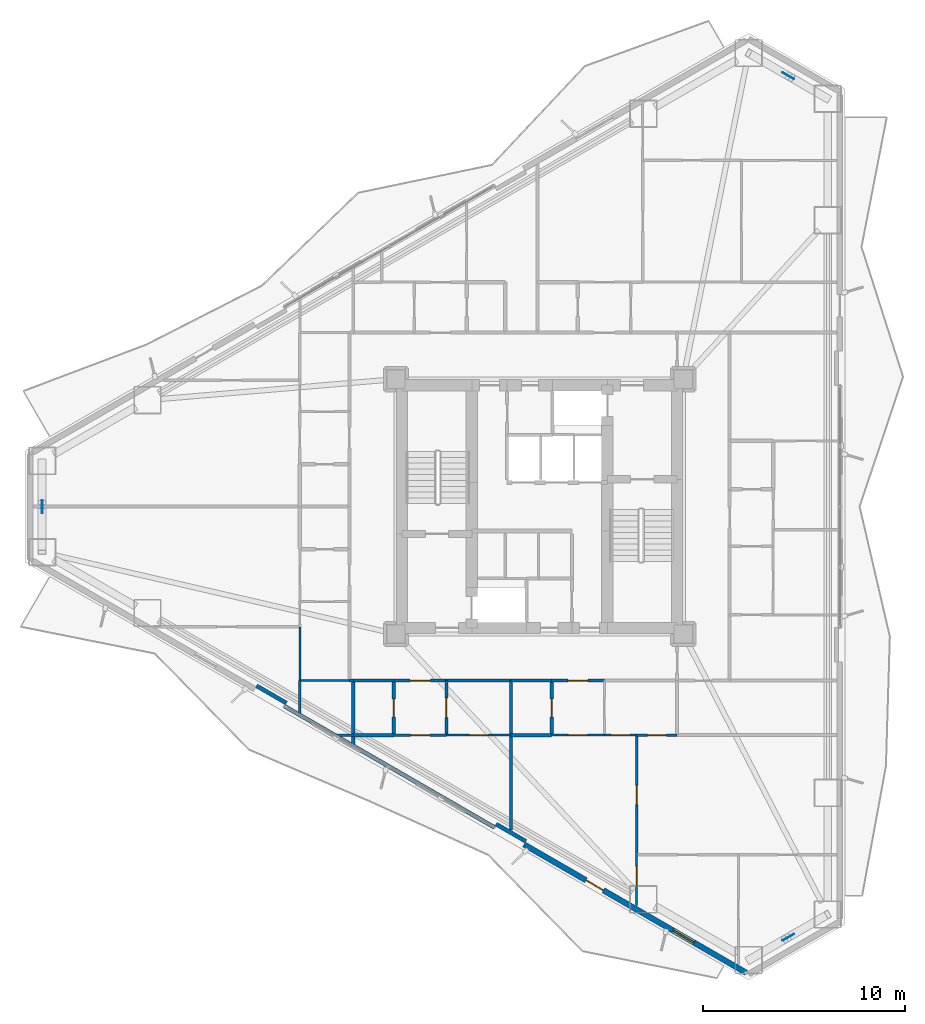
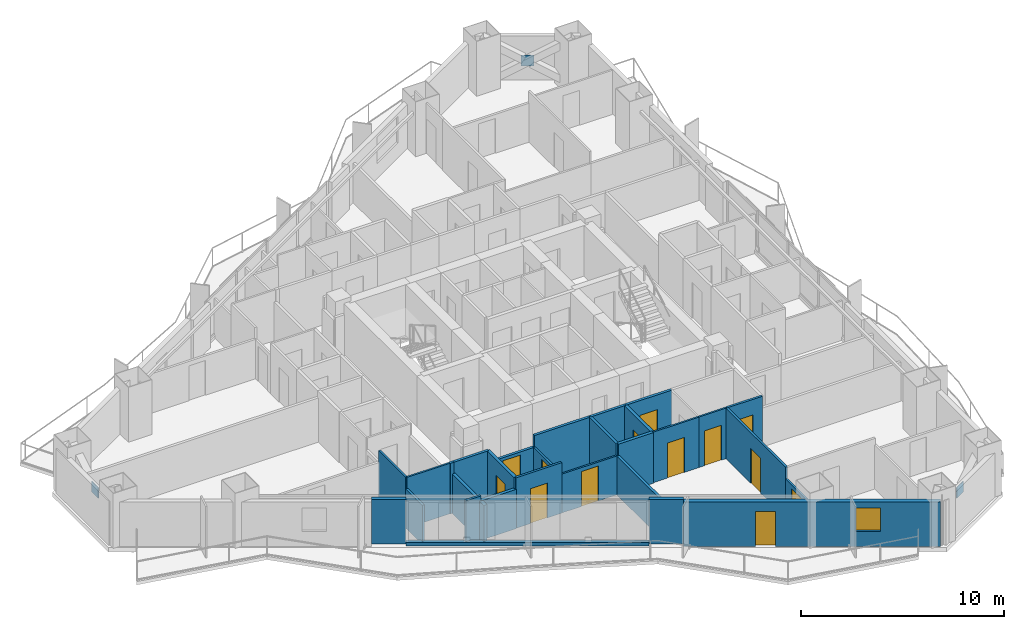
# One storey, part 11 of 18: 29 walls, 13 doors, 3 plates, 1 window, 14 openings.
"""IFC4 building model written with IfcOpenShell, lengths in metres."""

from ifc_helpers import new_model, si_unit, direction, frame, frame_2d, origin, origin_2d, place, context, subcontext, project, spatial, rectangle, extrude, material, layer, layer_set, type_object, element, fill, save


model = new_model("IFC4")

# Units and contexts
model_context = context("Model", 3, precision=1e-05, world=origin(), true_north=direction((0.0, 1.0)))
body_context = subcontext(model_context, "Body", "Model", "MODEL_VIEW")
ifc_project = project(units=[si_unit("LENGTHUNIT", "METRE"), si_unit("AREAUNIT", "SQUARE_METRE"), si_unit("VOLUMEUNIT", "CUBIC_METRE"), si_unit("PLANEANGLEUNIT", "RADIAN"), si_unit("MASSUNIT", "GRAM", prefix="KILO")], contexts=[model_context])

# Site, building, storey
site_placement = place(None, origin())
site = spatial("IfcSite", under=ifc_project, at=site_placement, CompositionType="ELEMENT")
building_placement = place(site_placement, origin())
building = spatial("IfcBuilding", under=site, at=building_placement, Name="Mersakhor Tower and Convention Hall", CompositionType="ELEMENT")
storey_placement = place(building_placement, frame((0.0, 0.0, 35.699951171875)))
storey = spatial("IfcBuildingStorey", under=building, at=storey_placement, Name="L09", CompositionType="ELEMENT", Elevation=35.699951171875)

# Plates
ifc_material_1 = material(Name="Steel S460", Category="steel")
ifc_layer_1 = layer(ifc_material_1, 0.0400390625)
ifc_layer_set_1 = layer_set([ifc_layer_1], Name="Steel S460")
plate_type = type_object("IfcPlateType", Name="PL-GUSSET-40", PredefinedType="SHEET", material=ifc_layer_set_1)
for number, where, z_axis, x_axis, name in (
    (1, (41.29345703125, 48.04296875, 1.2001953125), (0.0, 0.0, 1.0), (-0.866025403784, 0.5, 0.0), "L09 X-Brace Crossing Gusset Node Plate"),
    (2, (41.29345703125, 5.45703125, 1.2001953125), (0.0, 0.0, 1.0), (0.866025403784, 0.5, 0.0), "L09 X-Brace Crossing Gusset Node Plate"),
    (3, (4.4130859375, 26.75, 1.2001953125), (0.0, 0.0, 1.0), (0.0, -1.0, 0.0), "L09 X-Brace Crossing Gusset Node Plate"),
):
    element("IfcPlate", number, at=place(storey_placement, frame(where, z_axis=z_axis, x_axis=x_axis)), inside=storey, type_object=plate_type, Name=name, PredefinedType="SHEET", context=body_context, shape_type="SweptSolid", body=[
        extrude(rectangle(XDim=0.639892578125, YDim=0.0400390625, at=origin_2d()), origin(), (0.0, 0.0, 1.0), 0.639892578125),
    ])

# Wall, openings, door, window
ifc_material_2 = material(Name="Precast concrete C45/55", Category="concrete")
ifc_layer_2 = layer(ifc_material_2, 0.27490234375)
ifc_layer_set_2 = layer_set([ifc_layer_2], Name="Precast concrete C45/55")
wall_type_1 = type_object("IfcWallType", Name="WL-EXT-275", PredefinedType="SOLIDWALL", material=ifc_layer_set_2)
wall_1_placement = place(storey_placement, frame((39.20703125, 3.709716796875, 0.0), z_axis=(0.0, 0.0, 1.0), x_axis=(-0.86603192154, 0.499988710747, 0.0)))
wall_1 = element("IfcWall", 4, at=wall_1_placement, inside=storey, type_object=wall_type_1, Name="L09 Exterior Facade Wall F3-B1", PredefinedType="SOLIDWALL", context=body_context, shape_type="SweptSolid", body=[
    extrude(rectangle(XDim=12.673095703125, YDim=0.27490234375, at=frame_2d((6.33642578125, 0.0))), origin(), (0.0, 0.0, 1.0), 2.66015625),
])
opening_1_placement = place(wall_1_placement, frame((8.135986328125, 0.0, 0.0)))
opening_1 = element("IfcOpeningElement", 5, at=opening_1_placement, cuts=wall_1, Name="Opening BD-01", PredefinedType="OPENING", context=body_context, shape_type="SweptSolid", body=[
    extrude(rectangle(XDim=1.0, YDim=2.10009765625, at=frame_2d((0.5, 1.050048828125))), frame((0.0, 0.1474609375, 0.0), z_axis=(0.0, -1.0, 0.0), x_axis=(1.0, 0.0, 0.0)), (0.0, 0.0, 1.0), 0.294921875),
])
opening_2_placement = place(wall_1_placement, frame((2.970947265625, 0.0, 0.89990234375)))
opening_2 = element("IfcOpeningElement", 6, at=opening_2_placement, cuts=wall_1, Name="Opening W-01", PredefinedType="OPENING", context=body_context, shape_type="SweptSolid", body=[
    extrude(rectangle(XDim=1.199951171875, YDim=1.39990234375, at=frame_2d((0.60009765625, 0.699951171875))), frame((0.0, 0.1474609375, 0.0), z_axis=(0.0, -1.0, 0.0), x_axis=(1.0, 0.0, 0.0)), (0.0, 0.0, 1.0), 0.294921875),
])
ifc_material_3 = material(Name="Thermally broken dark aluminium and safety glass", Category="aluminium")
door_type_1 = type_object("IfcDoorType", Name="DR-BAL-100x210", OperationType="NOTDEFINED", PredefinedType="DOOR", material=ifc_material_3)
door_1_placement = place(opening_1_placement, origin())
door_1 = element("IfcDoor", 7, at=door_1_placement, inside=storey, type_object=door_type_1, Name="L09 Balcony Terrace Door F3-B1", OperationType="SINGLE_SWING_LEFT", OverallHeight=2.10009765625, OverallWidth=1.0, PredefinedType="DOOR", context=body_context, shape_type="SweptSolid", body=[
    extrude(rectangle(XDim=1.0, YDim=2.10009765625, at=frame_2d((0.5, 1.050048828125))), frame((0.0, 0.02490234375, 0.0), z_axis=(0.0, -1.0, 0.0), x_axis=(1.0, 0.0, 0.0)), (0.0, 0.0, 1.0), 0.050048828125),
])
fill(opening_1, door_1)
ifc_material_4 = material(Name="Dark solar low-E glazed aluminium window", Category="aluminium")
window_type = type_object("IfcWindowType", Name="WN-RES-120x150", PartitioningType="SINGLE_PANEL", PredefinedType="WINDOW", material=ifc_material_4)
window_placement = place(opening_2_placement, origin())
window = element("IfcWindow", 8, at=window_placement, inside=storey, type_object=window_type, Name="L09 Bedroom Facade Window F3-B1-1", OverallHeight=1.39990234375, OverallWidth=1.199951171875, PartitioningType="SINGLE_PANEL", PredefinedType="WINDOW", context=body_context, shape_type="SweptSolid", body=[
    extrude(rectangle(XDim=1.199951171875, YDim=1.39990234375, at=frame_2d((0.60009765625, 0.699951171875))), frame((0.0, 0.030029296875, 0.0), z_axis=(0.0, -1.0, 0.0), x_axis=(1.0, 0.0, 0.0)), (0.0, 0.0, 1.0), 0.06005859375),
])
fill(opening_2, window)

# Walls
ifc_material_5 = material(Name="Precast concrete C40/50", Category="concrete")
ifc_layer_3 = layer(ifc_material_5, 0.199951171875)
ifc_layer_set_3 = layer_set([ifc_layer_3], Name="Precast concrete C40/50")
wall_type_2 = type_object("IfcWallType", Name="WL-PAR-200", PredefinedType="PARAPET", material=ifc_layer_set_3)
wall_2_placement = place(storey_placement, frame((26.759521484375, 10.896240234375, 0.0), z_axis=(0.0, 0.0, 1.0), x_axis=(-0.866027351828, 0.499996625875, 0.0)))
element("IfcWall", 9, at=wall_2_placement, inside=storey, type_object=wall_type_2, Name="L09 Curtain Wall Upstand Sill F3-B2", PredefinedType="PARAPET", context=body_context, shape_type="SweptSolid", body=[
    extrude(rectangle(XDim=11.97314453125, YDim=0.199951171875, at=frame_2d((5.986572265625, 0.0))), origin(), (0.0, 0.0, 1.0), 0.199951171875),
])
for number, where, z_axis, x_axis, name in (
    (10, (28.32177734375, 10.2021484375, 0.0), (0.0, 0.0, 1.0), (-0.86605165483, 0.499954529098, 0.0), "L09 Column Pier Cladding Wall F3-C1"),
    (11, (16.48046875, 17.038818359375, 0.0), (0.0, 0.0, 1.0), (-0.86605165483, 0.499954529098, 0.0), "L09 Column Pier Cladding Wall F3-C2"),
):
    element("IfcWall", number, at=place(storey_placement, frame(where, z_axis=z_axis, x_axis=x_axis)), inside=storey, type_object=wall_type_2, Name=name, PredefinedType="PARAPET", context=body_context, shape_type="SweptSolid", body=[
        extrude(rectangle(XDim=1.699951171875, YDim=0.199951171875, at=frame_2d((0.85009765625, 0.0))), origin(), (0.0, 0.0, 1.0), 2.66015625),
    ])

# Wall, opening, door
ifc_material_6 = material(Name="Moisture-resistant acoustic drywall studwork", Category="other")
ifc_layer_4 = layer(ifc_material_6, 0.175048828125)
ifc_layer_set_4 = layer_set([ifc_layer_4], Name="Moisture-resistant acoustic drywall studwork")
wall_type_3 = type_object("IfcWallType", Name="WL-PLM-175", PredefinedType="PLUMBINGWALL", material=ifc_layer_set_4)
wall_3_placement = place(storey_placement, frame((21.800048828125, 15.449951171875, 0.0), z_axis=(0.0, 0.0, 1.0), x_axis=(0.0, 1.0, 0.0)))
wall_3 = element("IfcWall", 12, at=wall_3_placement, inside=storey, type_object=wall_type_3, Name="L09 Interior Partition Wall P-074", PredefinedType="PLUMBINGWALL", context=body_context, shape_type="SweptSolid", body=[
    extrude(rectangle(XDim=2.699951171875, YDim=0.175048828125, at=frame_2d((1.35009765625, 0.0))), origin(), (0.0, 0.0, 1.0), 3.0400390625),
])
opening_3_placement = place(wall_3_placement, frame((0.89990234375, 0.0, 0.0)))
opening_3 = element("IfcOpeningElement", 13, at=opening_3_placement, cuts=wall_3, Name="Opening WD-01", PredefinedType="OPENING", context=body_context, shape_type="SweptSolid", body=[
    extrude(rectangle(XDim=0.89990234375, YDim=2.10009765625, at=frame_2d((0.449951171875, 1.050048828125))), frame((0.0, 0.097412109375, 0.0), z_axis=(0.0, -1.0, 0.0), x_axis=(1.0, 0.0, 0.0)), (0.0, 0.0, 1.0), 0.195068359375),
])
ifc_material_7 = material(Name="Solid-core hardwood leaf in painted steel frame", Category="steel")
door_type_2 = type_object("IfcDoorType", Name="DR-INT-WET-090x210", OperationType="NOTDEFINED", PredefinedType="DOOR", material=ifc_material_7)
door_2_placement = place(opening_3_placement, origin())
door_2 = element("IfcDoor", 14, at=door_2_placement, inside=storey, type_object=door_type_2, Name="L09 L09 Flat S3 Apartment Hall to L09 Flat S3 Bathroom Door", OperationType="SINGLE_SWING_RIGHT", OverallHeight=2.10009765625, OverallWidth=0.89990234375, PredefinedType="DOOR", context=body_context, shape_type="SweptSolid", body=[
    extrude(rectangle(XDim=0.89990234375, YDim=2.10009765625, at=frame_2d((0.449951171875, 1.050048828125))), frame((0.0, 0.02490234375, 0.0), z_axis=(0.0, -1.0, 0.0), x_axis=(1.0, 0.0, 0.0)), (0.0, 0.0, 1.0), 0.050048828125),
])
fill(opening_3, door_2)

wall_4_placement = place(storey_placement, frame((29.60009765625, 15.449951171875, 0.0), z_axis=(0.0, 0.0, 1.0), x_axis=(0.0, 1.0, 0.0)))
wall_4 = element("IfcWall", 15, at=wall_4_placement, inside=storey, type_object=wall_type_3, Name="L09 Interior Partition Wall P-077", PredefinedType="PLUMBINGWALL", context=body_context, shape_type="SweptSolid", body=[
    extrude(rectangle(XDim=2.699951171875, YDim=0.175048828125, at=frame_2d((1.35009765625, 0.0))), origin(), (0.0, 0.0, 1.0), 3.0400390625),
])
opening_4_placement = place(wall_4_placement, frame((0.89990234375, 0.0, 0.0)))
opening_4 = element("IfcOpeningElement", 16, at=opening_4_placement, cuts=wall_4, Name="Opening WD-01", PredefinedType="OPENING", context=body_context, shape_type="SweptSolid", body=[
    extrude(rectangle(XDim=0.89990234375, YDim=2.10009765625, at=frame_2d((0.449951171875, 1.050048828125))), frame((0.0, 0.097412109375, 0.0), z_axis=(0.0, -1.0, 0.0), x_axis=(1.0, 0.0, 0.0)), (0.0, 0.0, 1.0), 0.195068359375),
])
door_3_placement = place(opening_4_placement, origin())
door_3 = element("IfcDoor", 17, at=door_3_placement, inside=storey, type_object=door_type_2, Name="L09 L09 Flat S4 Apartment Hall to L09 Flat S4 Bathroom Door", OperationType="SINGLE_SWING_LEFT", OverallHeight=2.10009765625, OverallWidth=0.89990234375, PredefinedType="DOOR", context=body_context, shape_type="SweptSolid", body=[
    extrude(rectangle(XDim=0.89990234375, YDim=2.10009765625, at=frame_2d((0.449951171875, 1.050048828125))), frame((0.0, 0.02490234375, 0.0), z_axis=(0.0, -1.0, 0.0), x_axis=(1.0, 0.0, 0.0)), (0.0, 0.0, 1.0), 0.050048828125),
])
fill(opening_4, door_3)

# Walls
wall_5_placement = place(storey_placement, frame((21.800048828125, 15.449951171875, 0.0), z_axis=(0.0, 0.0, 1.0), x_axis=(-1.0, 0.0, 0.0)))
element("IfcWall", 18, at=wall_5_placement, inside=storey, type_object=wall_type_3, Name="L09 Interior Partition Wall P-100", PredefinedType="PLUMBINGWALL", context=body_context, shape_type="SweptSolid", body=[
    extrude(rectangle(XDim=2.0, YDim=0.175048828125, at=frame_2d((1.0, 0.0))), origin(), (0.0, 0.0, 1.0), 2.364990234375),
])
wall_6_placement = place(storey_placement, frame((19.800048828125, 14.955810546875, 0.0), z_axis=(0.0, 0.0, 1.0), x_axis=(0.0, 1.0, 0.0)))
element("IfcWall", 19, at=wall_6_placement, inside=storey, type_object=wall_type_3, Name="L09 Interior Partition Wall P-101", PredefinedType="PLUMBINGWALL", context=body_context, shape_type="SweptSolid", body=[
    extrude(rectangle(XDim=3.194091796875, YDim=0.175048828125, at=frame_2d((1.59716796875, 0.0))), origin(), (0.0, 0.0, 1.0), 2.364990234375),
])
wall_7_placement = place(storey_placement, frame((29.60009765625, 15.449951171875, 0.0), z_axis=(0.0, 0.0, 1.0), x_axis=(-1.0, 0.0, 0.0)))
element("IfcWall", 20, at=wall_7_placement, inside=storey, type_object=wall_type_3, Name="L09 Interior Partition Wall P-104", PredefinedType="PLUMBINGWALL", context=body_context, shape_type="SweptSolid", body=[
    extrude(rectangle(XDim=2.0, YDim=0.175048828125, at=frame_2d((1.0, 0.0))), origin(), (0.0, 0.0, 1.0), 3.0400390625),
])

# Wall, opening, door
ifc_material_8 = material(Name="Lightweight gypsum partition", Category="other")
ifc_layer_5 = layer(ifc_material_8, 0.10009765625)
ifc_layer_set_5 = layer_set([ifc_layer_5], Name="Lightweight gypsum partition")
wall_type_4 = type_object("IfcWallType", Name="WL-PRT-100", PredefinedType="PARTITIONING", material=ifc_layer_set_5)
wall_8_placement = place(storey_placement, frame((32.199951171875, 15.449951171875, 0.0), z_axis=(0.0, 0.0, 1.0), x_axis=(-1.0, 0.0, 0.0)))
wall_8 = element("IfcWall", 21, at=wall_8_placement, inside=storey, type_object=wall_type_4, Name="L09 Interior Partition Wall P-076", PredefinedType="PARTITIONING", context=body_context, shape_type="SweptSolid", body=[
    extrude(rectangle(XDim=2.599853515625, YDim=0.10009765625, at=frame_2d((1.2998046875, 0.0))), origin(), (0.0, 0.0, 1.0), 3.0400390625),
])
opening_5_placement = place(wall_8_placement, frame((0.824951171875, 0.0, 0.0)))
opening_5 = element("IfcOpeningElement", 22, at=opening_5_placement, cuts=wall_8, Name="Opening RD-01", PredefinedType="OPENING", context=body_context, shape_type="SweptSolid", body=[
    extrude(rectangle(XDim=0.949951171875, YDim=2.10009765625, at=frame_2d((0.47509765625, 1.050048828125))), frame((0.0, 0.06005859375, 0.0), z_axis=(0.0, -1.0, 0.0), x_axis=(1.0, 0.0, 0.0)), (0.0, 0.0, 1.0), 0.1201171875),
])
ifc_material_9 = material(Name="Solid-core hardwood leaf in painted steel frame", Category="steel")
door_type_3 = type_object("IfcDoorType", Name="DR-INT-RM-095x210", OperationType="NOTDEFINED", PredefinedType="DOOR", material=ifc_material_9)
door_4_placement = place(opening_5_placement, origin())
door_4 = element("IfcDoor", 23, at=door_4_placement, inside=storey, type_object=door_type_3, Name="L09 L09 Flat S4 Apartment Hall to L09 Flat S4 Living and Dining Room Door", OperationType="SINGLE_SWING_LEFT", OverallHeight=2.10009765625, OverallWidth=0.949951171875, PredefinedType="DOOR", context=body_context, shape_type="SweptSolid", body=[
    extrude(rectangle(XDim=0.949951171875, YDim=2.10009765625, at=frame_2d((0.47509765625, 1.050048828125))), frame((0.0, 0.02490234375, 0.0), z_axis=(0.0, -1.0, 0.0), x_axis=(1.0, 0.0, 0.0)), (0.0, 0.0, 1.0), 0.050048828125),
])
fill(opening_5, door_4)

wall_9_placement = place(storey_placement, frame((27.60009765625, 15.449951171875, 0.0), z_axis=(0.0, 0.0, 1.0), x_axis=(-1.0, 0.0, 0.0)))
wall_9 = element("IfcWall", 24, at=wall_9_placement, inside=storey, type_object=wall_type_4, Name="L09 Interior Partition Wall P-102", PredefinedType="PARTITIONING", context=body_context, shape_type="SweptSolid", body=[
    extrude(rectangle(XDim=3.2001953125, YDim=0.10009765625, at=frame_2d((1.60009765625, 0.0))), origin(), (0.0, 0.0, 1.0), 2.337646484375),
])
opening_6_placement = place(wall_9_placement, frame((1.125, 0.0, 0.0)))
opening_6 = element("IfcOpeningElement", 25, at=opening_6_placement, cuts=wall_9, Name="Opening RD-01", PredefinedType="OPENING", context=body_context, shape_type="SweptSolid", body=[
    extrude(rectangle(XDim=0.949951171875, YDim=2.10009765625, at=frame_2d((0.47509765625, 1.050048828125))), frame((0.0, 0.06005859375, 0.0), z_axis=(0.0, -1.0, 0.0), x_axis=(1.0, 0.0, 0.0)), (0.0, 0.0, 1.0), 0.1201171875),
])
door_5_placement = place(opening_6_placement, origin())
door_5 = element("IfcDoor", 26, at=door_5_placement, inside=storey, type_object=door_type_3, Name="L09 L09 Flat S3 Kitchen to L09 Flat S3 Studio Living and Sleeping Room Door", OperationType="SINGLE_SWING_LEFT", OverallHeight=2.10009765625, OverallWidth=0.949951171875, PredefinedType="DOOR", context=body_context, shape_type="SweptSolid", body=[
    extrude(rectangle(XDim=0.949951171875, YDim=2.10009765625, at=frame_2d((0.47509765625, 1.050048828125))), frame((0.0, 0.02490234375, 0.0), z_axis=(0.0, -1.0, 0.0), x_axis=(1.0, 0.0, 0.0)), (0.0, 0.0, 1.0), 0.050048828125),
])
fill(opening_6, door_5)

wall_10_placement = place(storey_placement, frame((33.800048828125, 15.449951171875, 0.0), z_axis=(0.0, 0.0, 1.0), x_axis=(-1.0, 0.0, 0.0)))
wall_10 = element("IfcWall", 27, at=wall_10_placement, inside=storey, type_object=wall_type_4, Name="L09 Interior Partition Wall P-106", PredefinedType="PARTITIONING", context=body_context, shape_type="SweptSolid", body=[
    extrude(rectangle(XDim=1.60009765625, YDim=0.10009765625, at=frame_2d((0.800048828125, 0.0))), origin(), (0.0, 0.0, 1.0), 3.0400390625),
])
opening_7_placement = place(wall_10_placement, frame((0.324951171875, 0.0, 0.0)))
opening_7 = element("IfcOpeningElement", 28, at=opening_7_placement, cuts=wall_10, Name="Opening RD-01", PredefinedType="OPENING", context=body_context, shape_type="SweptSolid", body=[
    extrude(rectangle(XDim=0.949951171875, YDim=2.10009765625, at=frame_2d((0.47509765625, 1.050048828125))), frame((0.0, 0.06005859375, 0.0), z_axis=(0.0, -1.0, 0.0), x_axis=(1.0, 0.0, 0.0)), (0.0, 0.0, 1.0), 0.1201171875),
])
door_6_placement = place(opening_7_placement, origin())
door_6 = element("IfcDoor", 29, at=door_6_placement, inside=storey, type_object=door_type_3, Name="L09 L09 Flat S4 Kitchen to L09 Flat S4 Living and Dining Room Door", OperationType="SINGLE_SWING_RIGHT", OverallHeight=2.10009765625, OverallWidth=0.949951171875, PredefinedType="DOOR", context=body_context, shape_type="SweptSolid", body=[
    extrude(rectangle(XDim=0.949951171875, YDim=2.10009765625, at=frame_2d((0.47509765625, 1.050048828125))), frame((0.0, 0.02490234375, 0.0), z_axis=(0.0, -1.0, 0.0), x_axis=(1.0, 0.0, 0.0)), (0.0, 0.0, 1.0), 0.050048828125),
])
fill(opening_7, door_6)

# Walls
wall_11_placement = place(storey_placement, frame((17.14990234375, 18.14990234375, 0.0), z_axis=(0.0, 0.0, 1.0), x_axis=(0.0, 1.0, 0.0)))
element("IfcWall", 30, at=wall_11_placement, inside=storey, type_object=wall_type_4, Name="L09 Interior Partition Wall P-114", PredefinedType="PARTITIONING", context=body_context, shape_type="SweptSolid", body=[
    extrude(rectangle(XDim=2.650146484375, YDim=0.10009765625, at=frame_2d((1.3251953125, 0.0))), origin(), (0.0, 0.0, 1.0), 3.0400390625),
])
wall_12_placement = place(storey_placement, frame((19.60009765625, 18.14990234375, 0.0), z_axis=(0.0, 0.0, 1.0), x_axis=(-1.0, 0.0, 0.0)))
element("IfcWall", 31, at=wall_12_placement, inside=storey, type_object=wall_type_4, Name="L09 Interior Partition Wall P-116", PredefinedType="PARTITIONING", context=body_context, shape_type="SweptSolid", body=[
    extrude(rectangle(XDim=2.4501953125, YDim=0.10009765625, at=frame_2d((1.22509765625, 0.0))), origin(), (0.0, 0.0, 1.0), 3.0400390625),
])

# Wall, opening, door
wall_13_placement = place(storey_placement, frame((33.800048828125, 9.5400390625, 0.0), z_axis=(0.0, 0.0, 1.0), x_axis=(0.0, -1.0, 0.0)))
wall_13 = element("IfcWall", 32, at=wall_13_placement, inside=storey, type_object=wall_type_4, Name="L09 Interior Partition Wall P-134", PredefinedType="PARTITIONING", context=body_context, shape_type="SweptSolid", body=[
    extrude(rectangle(XDim=2.522216796875, YDim=0.10009765625, at=frame_2d((1.26123046875, 0.0))), origin(), (0.0, 0.0, 1.0), 2.337646484375),
])
opening_8_placement = place(wall_13_placement, frame((0.57421875, 0.0, 0.0)))
opening_8 = element("IfcOpeningElement", 33, at=opening_8_placement, cuts=wall_13, Name="Opening RD-01", PredefinedType="OPENING", context=body_context, shape_type="SweptSolid", body=[
    extrude(rectangle(XDim=0.949951171875, YDim=2.10009765625, at=frame_2d((0.47509765625, 1.050048828125))), frame((0.0, 0.06005859375, 0.0), z_axis=(0.0, -1.0, 0.0), x_axis=(1.0, 0.0, 0.0)), (0.0, 0.0, 1.0), 0.1201171875),
])
door_7_placement = place(opening_8_placement, origin())
door_7 = element("IfcDoor", 34, at=door_7_placement, inside=storey, type_object=door_type_3, Name="L09 L09 Flat S4 Living and Dining Room to L09 Flat S4 Bedroom 1 Door", OperationType="SINGLE_SWING_LEFT", OverallHeight=2.10009765625, OverallWidth=0.949951171875, PredefinedType="DOOR", context=body_context, shape_type="SweptSolid", body=[
    extrude(rectangle(XDim=0.949951171875, YDim=2.10009765625, at=frame_2d((0.47509765625, 1.050048828125))), frame((0.0, 0.02490234375, 0.0), z_axis=(0.0, -1.0, 0.0), x_axis=(1.0, 0.0, 0.0)), (0.0, 0.0, 1.0), 0.050048828125),
])
fill(opening_8, door_7)

ifc_material_10 = material(Name="Gypsum board acoustic partition", Category="other")
ifc_layer_6 = layer(ifc_material_10, 0.125)
ifc_layer_set_6 = layer_set([ifc_layer_6], Name="Gypsum board acoustic partition")
wall_type_5 = type_object("IfcWallType", Name="WL-PRT-125", PredefinedType="PARTITIONING", material=ifc_layer_set_6)
wall_14_placement = place(storey_placement, frame((24.39990234375, 15.449951171875, 0.0), z_axis=(0.0, 0.0, 1.0), x_axis=(-1.0, 0.0, 0.0)))
wall_14 = element("IfcWall", 35, at=wall_14_placement, inside=storey, type_object=wall_type_5, Name="L09 Interior Partition Wall P-073", PredefinedType="PARTITIONING", context=body_context, shape_type="SweptSolid", body=[
    extrude(rectangle(XDim=2.599853515625, YDim=0.125, at=frame_2d((1.2998046875, 0.0))), origin(), (0.0, 0.0, 1.0), 3.0400390625),
])
opening_9_placement = place(wall_14_placement, frame((0.824951171875, 0.0, 0.0)))
opening_9 = element("IfcOpeningElement", 36, at=opening_9_placement, cuts=wall_14, Name="Opening RD-01", PredefinedType="OPENING", context=body_context, shape_type="SweptSolid", body=[
    extrude(rectangle(XDim=0.949951171875, YDim=2.10009765625, at=frame_2d((0.47509765625, 1.050048828125))), frame((0.0, 0.072509765625, 0.0), z_axis=(0.0, -1.0, 0.0), x_axis=(1.0, 0.0, 0.0)), (0.0, 0.0, 1.0), 0.14501953125),
])
door_8_placement = place(opening_9_placement, origin())
door_8 = element("IfcDoor", 37, at=door_8_placement, inside=storey, type_object=door_type_3, Name="L09 L09 Flat S3 Apartment Hall to L09 Flat S3 Studio Living and Sleeping Room Door", OperationType="SINGLE_SWING_RIGHT", OverallHeight=2.10009765625, OverallWidth=0.949951171875, PredefinedType="DOOR", context=body_context, shape_type="SweptSolid", body=[
    extrude(rectangle(XDim=0.949951171875, YDim=2.10009765625, at=frame_2d((0.47509765625, 1.050048828125))), frame((0.0, 0.02490234375, 0.0), z_axis=(0.0, -1.0, 0.0), x_axis=(1.0, 0.0, 0.0)), (0.0, 0.0, 1.0), 0.050048828125),
])
fill(opening_9, door_8)

wall_15_placement = place(storey_placement, frame((24.39990234375, 18.14990234375, 0.0), z_axis=(0.0, 0.0, 1.0), x_axis=(0.0, -1.0, 0.0)))
wall_15 = element("IfcWall", 38, at=wall_15_placement, inside=storey, type_object=wall_type_5, Name="L09 Interior Partition Wall P-075", PredefinedType="PARTITIONING", context=body_context, shape_type="SweptSolid", body=[
    extrude(rectangle(XDim=2.699951171875, YDim=0.125, at=frame_2d((1.35009765625, 0.0))), origin(), (0.0, 0.0, 1.0), 2.337646484375),
])
opening_10_placement = place(wall_15_placement, frame((0.875, 0.0, 0.0)))
opening_10 = element("IfcOpeningElement", 39, at=opening_10_placement, cuts=wall_15, Name="Opening RD-01", PredefinedType="OPENING", context=body_context, shape_type="SweptSolid", body=[
    extrude(rectangle(XDim=0.949951171875, YDim=2.10009765625, at=frame_2d((0.47509765625, 1.050048828125))), frame((0.0, 0.072509765625, 0.0), z_axis=(0.0, -1.0, 0.0), x_axis=(1.0, 0.0, 0.0)), (0.0, 0.0, 1.0), 0.14501953125),
])
door_9_placement = place(opening_10_placement, origin())
door_9 = element("IfcDoor", 40, at=door_9_placement, inside=storey, type_object=door_type_3, Name="L09 L09 Flat S3 Apartment Hall to L09 Flat S3 Kitchen Door", OperationType="SINGLE_SWING_LEFT", OverallHeight=2.10009765625, OverallWidth=0.949951171875, PredefinedType="DOOR", context=body_context, shape_type="SweptSolid", body=[
    extrude(rectangle(XDim=0.949951171875, YDim=2.10009765625, at=frame_2d((0.47509765625, 1.050048828125))), frame((0.0, 0.02490234375, 0.0), z_axis=(0.0, -1.0, 0.0), x_axis=(1.0, 0.0, 0.0)), (0.0, 0.0, 1.0), 0.050048828125),
])
fill(opening_10, door_9)

wall_16_placement = place(storey_placement, frame((35.800048828125, 15.449951171875, 0.0), z_axis=(0.0, 0.0, 1.0), x_axis=(-1.0, 0.0, 0.0)))
wall_16 = element("IfcWall", 41, at=wall_16_placement, inside=storey, type_object=wall_type_5, Name="L09 Interior Partition Wall P-105", PredefinedType="PARTITIONING", context=body_context, shape_type="SweptSolid", body=[
    extrude(rectangle(XDim=2.0, YDim=0.125, at=frame_2d((1.0, 0.0))), origin(), (0.0, 0.0, 1.0), 3.0400390625),
])
opening_11_placement = place(wall_16_placement, frame((0.52490234375, 0.0, 0.0)))
opening_11 = element("IfcOpeningElement", 42, at=opening_11_placement, cuts=wall_16, Name="Opening RD-01", PredefinedType="OPENING", context=body_context, shape_type="SweptSolid", body=[
    extrude(rectangle(XDim=0.949951171875, YDim=2.10009765625, at=frame_2d((0.47509765625, 1.050048828125))), frame((0.0, 0.072509765625, 0.0), z_axis=(0.0, -1.0, 0.0), x_axis=(1.0, 0.0, 0.0)), (0.0, 0.0, 1.0), 0.14501953125),
])
door_10_placement = place(opening_11_placement, origin())
door_10 = element("IfcDoor", 43, at=door_10_placement, inside=storey, type_object=door_type_3, Name="L09 L09 Flat S4 Kitchen to L09 Flat S4 Dining Room Door", OperationType="SINGLE_SWING_LEFT", OverallHeight=2.10009765625, OverallWidth=0.949951171875, PredefinedType="DOOR", context=body_context, shape_type="SweptSolid", body=[
    extrude(rectangle(XDim=0.949951171875, YDim=2.10009765625, at=frame_2d((0.47509765625, 1.050048828125))), frame((0.0, 0.02490234375, 0.0), z_axis=(0.0, -1.0, 0.0), x_axis=(1.0, 0.0, 0.0)), (0.0, 0.0, 1.0), 0.050048828125),
])
fill(opening_11, door_10)

# Wall
wall_17_placement = place(storey_placement, frame((18.9375, 15.449951171875, 0.0), z_axis=(0.0, 0.0, 1.0), x_axis=(1.0, 0.0, 0.0)))
element("IfcWall", 44, at=wall_17_placement, inside=storey, type_object=wall_type_5, Name="L09 Interior Partition Wall P-131", PredefinedType="PARTITIONING", context=body_context, shape_type="SweptSolid", body=[
    extrude(rectangle(XDim=0.862548828125, YDim=0.125, at=frame_2d((0.43115234375, 0.0))), origin(), (0.0, 0.0, 1.0), 2.650390625),
])

# Wall, opening, door
wall_18_placement = place(storey_placement, frame((33.800048828125, 15.449951171875, 0.0), z_axis=(0.0, 0.0, 1.0), x_axis=(0.0, -1.0, 0.0)))
wall_18 = element("IfcWall", 45, at=wall_18_placement, inside=storey, type_object=wall_type_5, Name="L09 Interior Partition Wall P-133", PredefinedType="PARTITIONING", context=body_context, shape_type="SweptSolid", body=[
    extrude(rectangle(XDim=5.909912109375, YDim=0.125, at=frame_2d((2.955078125, 0.0))), origin(), (0.0, 0.0, 1.0), 3.0400390625),
])
opening_12_placement = place(wall_18_placement, frame((2.47998046875, 0.0, 0.0)))
opening_12 = element("IfcOpeningElement", 46, at=opening_12_placement, cuts=wall_18, Name="Opening RD-01", PredefinedType="OPENING", context=body_context, shape_type="SweptSolid", body=[
    extrude(rectangle(XDim=0.949951171875, YDim=2.10009765625, at=frame_2d((0.47509765625, 1.050048828125))), frame((0.0, 0.072509765625, 0.0), z_axis=(0.0, -1.0, 0.0), x_axis=(1.0, 0.0, 0.0)), (0.0, 0.0, 1.0), 0.14501953125),
])
door_11_placement = place(opening_12_placement, origin())
door_11 = element("IfcDoor", 47, at=door_11_placement, inside=storey, type_object=door_type_3, Name="L09 L09 Flat S4 Living and Dining Room to L09 Flat S4 Dining Room Door", OperationType="SINGLE_SWING_RIGHT", OverallHeight=2.10009765625, OverallWidth=0.949951171875, PredefinedType="DOOR", context=body_context, shape_type="SweptSolid", body=[
    extrude(rectangle(XDim=0.949951171875, YDim=2.10009765625, at=frame_2d((0.47509765625, 1.050048828125))), frame((0.0, 0.02490234375, 0.0), z_axis=(0.0, -1.0, 0.0), x_axis=(1.0, 0.0, 0.0)), (0.0, 0.0, 1.0), 0.050048828125),
])
fill(opening_12, door_11)

# Wall
wall_19_placement = place(storey_placement, frame((17.14990234375, 18.14990234375, 0.0), z_axis=(0.0, 0.0, 1.0), x_axis=(0.0, -1.0, 0.0)))
element("IfcWall", 48, at=wall_19_placement, inside=storey, type_object=wall_type_5, Name="L09 Interior Partition Wall P-145", PredefinedType="PARTITIONING", context=body_context, shape_type="SweptSolid", body=[
    extrude(rectangle(XDim=1.6640625, YDim=0.125, at=frame_2d((0.83203125, 0.0))), origin(), (0.0, 0.0, 1.0), 2.364990234375),
])

# Wall, opening, door
ifc_material_11 = material(Name="Fire-rated gypsum board stud partition", Category="other")
ifc_layer_7 = layer(ifc_material_11, 0.14990234375)
ifc_layer_set_7 = layer_set([ifc_layer_7], Name="Fire-rated gypsum board stud partition")
wall_type_6 = type_object("IfcWallType", Name="WL-PRT-150", PredefinedType="PARTITIONING", material=ifc_layer_set_7)
wall_20_placement = place(storey_placement, frame((32.199951171875, 18.14990234375, 0.0), z_axis=(0.0, 0.0, 1.0), x_axis=(-1.0, 0.0, 0.0)))
wall_20 = element("IfcWall", 49, at=wall_20_placement, inside=storey, type_object=wall_type_6, Name="L09 Interior Partition Wall P-025", PredefinedType="PARTITIONING", context=body_context, shape_type="SweptSolid", body=[
    extrude(rectangle(XDim=2.599853515625, YDim=0.14990234375, at=frame_2d((1.2998046875, 0.0))), origin(), (0.0, 0.0, 1.0), 3.0400390625),
])
opening_13_placement = place(wall_20_placement, frame((0.800048828125, 0.0, 0.0)))
opening_13 = element("IfcOpeningElement", 50, at=opening_13_placement, cuts=wall_20, Name="Opening FD-01", PredefinedType="OPENING", context=body_context, shape_type="SweptSolid", body=[
    extrude(rectangle(XDim=1.0, YDim=2.14990234375, at=frame_2d((0.5, 1.074951171875))), frame((0.0, 0.0849609375, 0.0), z_axis=(0.0, -1.0, 0.0), x_axis=(1.0, 0.0, 0.0)), (0.0, 0.0, 1.0), 0.169921875),
])
ifc_material_12 = material(Name="Fire-rated hardwood leaf and painted steel frame", Category="steel")
door_type_4 = type_object("IfcDoorType", Name="DR-INT-FLT-100x215", OperationType="NOTDEFINED", PredefinedType="DOOR", material=ifc_material_12)
door_12_placement = place(opening_13_placement, origin())
door_12 = element("IfcDoor", 51, at=door_12_placement, inside=storey, type_object=door_type_4, Name="L09 Apartment Entrance Door (Residential Ring Corridor to L09 Flat S4 Apartment Hall)", OperationType="SINGLE_SWING_LEFT", OverallHeight=2.14990234375, OverallWidth=1.0, PredefinedType="DOOR", context=body_context, shape_type="SweptSolid", body=[
    extrude(rectangle(XDim=1.0, YDim=2.14990234375, at=frame_2d((0.5, 1.074951171875))), frame((0.0, 0.02490234375, 0.0), z_axis=(0.0, -1.0, 0.0), x_axis=(1.0, 0.0, 0.0)), (0.0, 0.0, 1.0), 0.050048828125),
])
fill(opening_13, door_12)

# Walls
wall_21_placement = place(storey_placement, frame((29.60009765625, 18.14990234375, 0.0), z_axis=(0.0, 0.0, 1.0), x_axis=(-1.0, 0.0, 0.0)))
element("IfcWall", 52, at=wall_21_placement, inside=storey, type_object=wall_type_6, Name="L09 Interior Partition Wall P-026", PredefinedType="PARTITIONING", context=body_context, shape_type="SweptSolid", body=[
    extrude(rectangle(XDim=2.0, YDim=0.14990234375, at=frame_2d((1.0, 0.0))), origin(), (0.0, 0.0, 1.0), 3.0400390625),
])
wall_22_placement = place(storey_placement, frame((27.60009765625, 18.14990234375, 0.0), z_axis=(0.0, 0.0, 1.0), x_axis=(-1.0, 0.0, 0.0)))
element("IfcWall", 53, at=wall_22_placement, inside=storey, type_object=wall_type_6, Name="L09 Interior Partition Wall P-027", PredefinedType="PARTITIONING", context=body_context, shape_type="SweptSolid", body=[
    extrude(rectangle(XDim=3.2001953125, YDim=0.14990234375, at=frame_2d((1.60009765625, 0.0))), origin(), (0.0, 0.0, 1.0), 3.0400390625),
])

# Wall, opening, door
wall_23_placement = place(storey_placement, frame((24.39990234375, 18.14990234375, 0.0), z_axis=(0.0, 0.0, 1.0), x_axis=(-1.0, 0.0, 0.0)))
wall_23 = element("IfcWall", 54, at=wall_23_placement, inside=storey, type_object=wall_type_6, Name="L09 Interior Partition Wall P-028", PredefinedType="PARTITIONING", context=body_context, shape_type="SweptSolid", body=[
    extrude(rectangle(XDim=2.599853515625, YDim=0.14990234375, at=frame_2d((1.2998046875, 0.0))), origin(), (0.0, 0.0, 1.0), 2.337646484375),
])
opening_14_placement = place(wall_23_placement, frame((0.800048828125, 0.0, 0.0)))
opening_14 = element("IfcOpeningElement", 55, at=opening_14_placement, cuts=wall_23, Name="Opening FD-01", PredefinedType="OPENING", context=body_context, shape_type="SweptSolid", body=[
    extrude(rectangle(XDim=1.0, YDim=2.14990234375, at=frame_2d((0.5, 1.074951171875))), frame((0.0, 0.0849609375, 0.0), z_axis=(0.0, -1.0, 0.0), x_axis=(1.0, 0.0, 0.0)), (0.0, 0.0, 1.0), 0.169921875),
])
door_13_placement = place(opening_14_placement, origin())
door_13 = element("IfcDoor", 56, at=door_13_placement, inside=storey, type_object=door_type_4, Name="L09 Apartment Entrance Door (Residential Ring Corridor to L09 Flat S3 Apartment Hall)", OperationType="SINGLE_SWING_RIGHT", OverallHeight=2.14990234375, OverallWidth=1.0, PredefinedType="DOOR", context=body_context, shape_type="SweptSolid", body=[
    extrude(rectangle(XDim=1.0, YDim=2.14990234375, at=frame_2d((0.5, 1.074951171875))), frame((0.0, 0.02490234375, 0.0), z_axis=(0.0, -1.0, 0.0), x_axis=(1.0, 0.0, 0.0)), (0.0, 0.0, 1.0), 0.050048828125),
])
fill(opening_14, door_13)

# Walls
wall_24_placement = place(storey_placement, frame((21.800048828125, 18.14990234375, 0.0), z_axis=(0.0, 0.0, 1.0), x_axis=(-1.0, 0.0, 0.0)))
element("IfcWall", 57, at=wall_24_placement, inside=storey, type_object=wall_type_6, Name="L09 Interior Partition Wall P-029", PredefinedType="PARTITIONING", context=body_context, shape_type="SweptSolid", body=[
    extrude(rectangle(XDim=2.0, YDim=0.14990234375, at=frame_2d((1.0, 0.0))), origin(), (0.0, 0.0, 1.0), 3.0400390625),
])
wall_25_placement = place(storey_placement, frame((19.800048828125, 18.14990234375, 0.0), z_axis=(0.0, 0.0, 1.0), x_axis=(-1.0, 0.0, 0.0)))
element("IfcWall", 58, at=wall_25_placement, inside=storey, type_object=wall_type_6, Name="L09 Interior Partition Wall P-030", PredefinedType="PARTITIONING", context=body_context, shape_type="SweptSolid", body=[
    extrude(rectangle(XDim=0.199951171875, YDim=0.14990234375, at=frame_2d((0.10009765625, 0.0))), origin(), (0.0, 0.0, 1.0), 3.0400390625),
])
wall_26_placement = place(storey_placement, frame((27.60009765625, 18.14990234375, 0.0), z_axis=(0.0, 0.0, 1.0), x_axis=(0.0, -1.0, 0.0)))
element("IfcWall", 59, at=wall_26_placement, inside=storey, type_object=wall_type_6, Name="L09 Interior Partition Wall P-103", PredefinedType="PARTITIONING", context=body_context, shape_type="SweptSolid", body=[
    extrude(rectangle(XDim=2.699951171875, YDim=0.14990234375, at=frame_2d((1.35009765625, 0.0))), origin(), (0.0, 0.0, 1.0), 3.0400390625),
])
wall_27_placement = place(storey_placement, frame((27.60009765625, 15.449951171875, 0.0), z_axis=(0.0, 0.0, 1.0), x_axis=(0.0, -1.0, 0.0)))
element("IfcWall", 60, at=wall_27_placement, inside=storey, type_object=wall_type_6, Name="L09 Interior Partition Wall P-132", PredefinedType="PARTITIONING", context=body_context, shape_type="SweptSolid", body=[
    extrude(rectangle(XDim=4.68798828125, YDim=0.14990234375, at=frame_2d((2.343994140625, 0.0))), origin(), (0.0, 0.0, 1.0), 2.337646484375),
])

save(model, "model.ifc")
